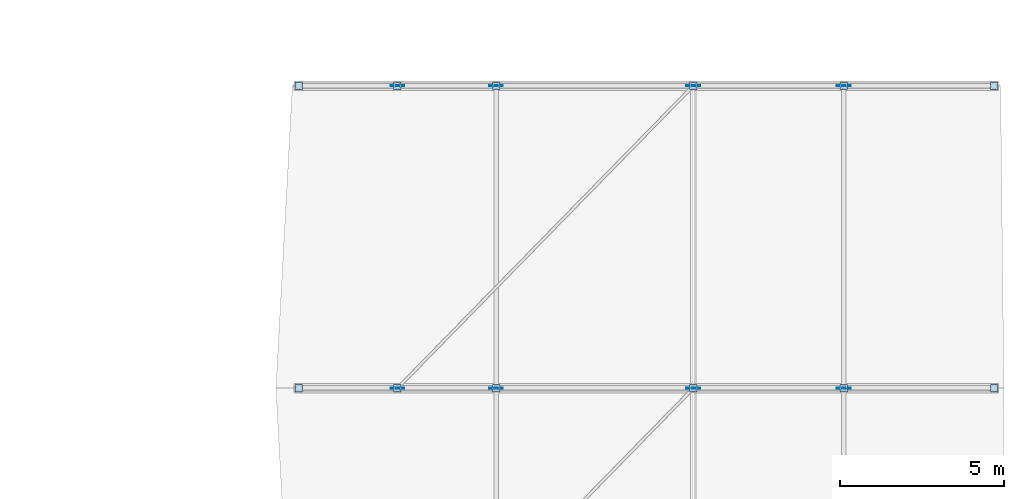
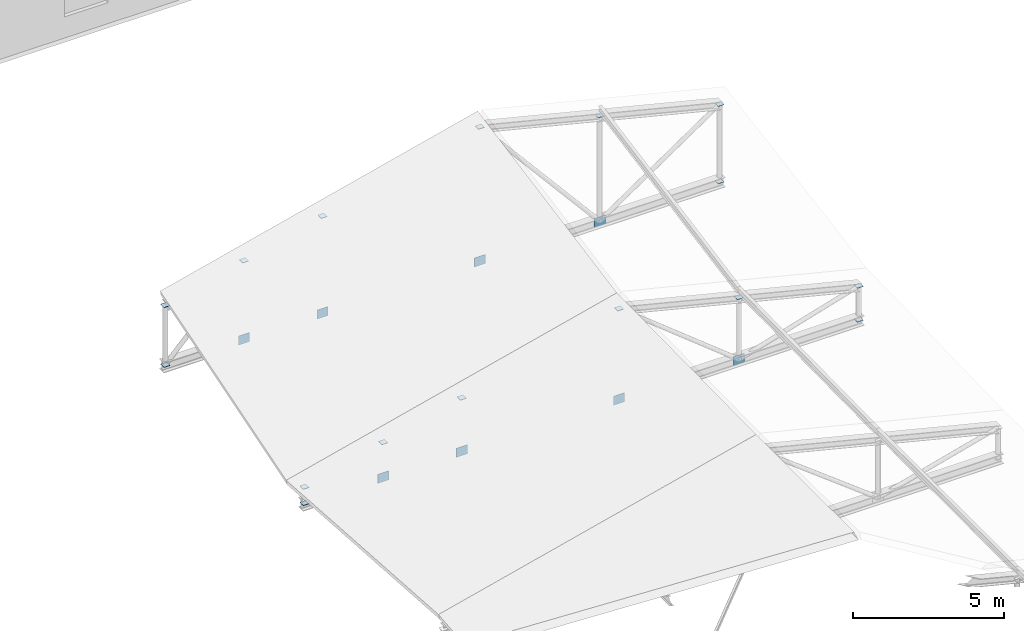
# One storey, part 25 of 33: 24 plates.
"""IFC4 building model written with IfcOpenShell, lengths in metres."""

from ifc_helpers import new_model, si_unit, direction, frame, origin, origin_2d, place, context, subcontext, project, spatial, rectangle, extrude, material, layer, layer_set, type_object, element, save


model = new_model("IFC4")

# Units and contexts
model_context = context("Model", 3, precision=1e-05, world=origin(), true_north=direction((0.0, 1.0)))
body_context = subcontext(model_context, "Body", "Model", "MODEL_VIEW")
ifc_project = project(units=[si_unit("LENGTHUNIT", "METRE"), si_unit("AREAUNIT", "SQUARE_METRE"), si_unit("VOLUMEUNIT", "CUBIC_METRE"), si_unit("PLANEANGLEUNIT", "RADIAN"), si_unit("MASSUNIT", "GRAM", prefix="KILO")], contexts=[model_context])

# Site, building, storey
site_placement = place(None, origin())
site = spatial("IfcSite", under=ifc_project, at=site_placement, CompositionType="ELEMENT")
building_placement = place(site_placement, origin())
building = spatial("IfcBuilding", under=site, at=building_placement, Name="Bozkorgan Art Gallery", CompositionType="ELEMENT")
storey_placement = place(building_placement, frame((0.0, 0.0, 19.5)))
storey = spatial("IfcBuildingStorey", under=building, at=storey_placement, Name="L04", CompositionType="ELEMENT", Elevation=19.5)

# Plates
ifc_material = material(Name="Steel S355J2", Category="steel")
ifc_layer_1 = layer(ifc_material, 0.01611328125, Name="Steel S355J2")
ifc_layer_set_1 = layer_set([ifc_layer_1], Name="Steel S355J2")
plate_type_1 = type_object("IfcPlateType", Name="PLATE-EC-05", PredefinedType="USERDEFINED", material=ifc_layer_set_1)
for number, where, z_axis, x_axis, name in (
    (1, (143.0, 38.39990234375, 0.846923828125), (0.0, 0.0, 1.0), (1.0, 0.0, 0.0), "Truss V6 post cap 5.0"),
    (2, (143.0, 38.39990234375, 0.19189453125), (0.0, 0.0, 1.0), (1.0, 0.0, 0.0), "Truss V6 post base cap 5.0"),
    (3, (146.0, 38.39990234375, 1.5947265625), (0.0, 0.0, 1.0), (1.0, 0.0, 0.0), "Truss V6 post cap 5.1"),
    (4, (149.0, 38.39990234375, 2.3427734375), (0.0, 0.0, 1.0), (1.0, 0.0, 0.0), "Truss V6 post cap 5.2"),
    (5, (155.0, 38.39990234375, 3.8388671875), (0.0, 0.0, 1.0), (1.0, 0.0, 0.0), "Truss V6 post cap 5.3"),
    (6, (159.574951171875, 38.39990234375, 2.6982421875), (0.0, 0.0, 1.0), (1.0, 0.0, 0.0), "Truss V6 post cap 5.4"),
    (7, (164.14990234375, 38.39990234375, 1.5576171875), (0.0, 0.0, 1.0), (1.0, 0.0, 0.0), "Truss V6 post cap 5.5"),
    (8, (164.14990234375, 38.39990234375, 0.19189453125), (0.0, 0.0, 1.0), (1.0, 0.0, 0.0), "Truss V6 post base cap 5.5"),
    (9, (143.0, 47.60009765625, 2.602294921875), (0.0, 0.0, 1.0), (1.0, 0.0, 0.0), "Truss V6 post cap 6.0"),
    (10, (143.0, 47.60009765625, 0.19189453125), (0.0, 0.0, 1.0), (1.0, 0.0, 0.0), "Truss V6 post base cap 6.0"),
    (11, (146.0, 47.60009765625, 3.350341796875), (0.0, 0.0, 1.0), (1.0, 0.0, 0.0), "Truss V6 post cap 6.1"),
    (12, (149.0, 47.60009765625, 4.09814453125), (0.0, 0.0, 1.0), (1.0, 0.0, 0.0), "Truss V6 post cap 6.2"),
    (13, (155.0, 47.60009765625, 5.59423828125), (0.0, 0.0, 1.0), (1.0, 0.0, 0.0), "Truss V6 post cap 6.3"),
    (14, (159.574951171875, 47.60009765625, 4.45361328125), (0.0, 0.0, 1.0), (1.0, 0.0, 0.0), "Truss V6 post cap 6.4"),
    (15, (164.14990234375, 47.60009765625, 3.31298828125), (0.0, 0.0, 1.0), (1.0, 0.0, 0.0), "Truss V6 post cap 6.5"),
    (16, (164.14990234375, 47.60009765625, 0.19189453125), (0.0, 0.0, 1.0), (1.0, 0.0, 0.0), "Truss V6 post base cap 6.5"),
):
    element("IfcPlate", number, at=place(storey_placement, frame(where, z_axis=z_axis, x_axis=x_axis)), inside=storey, type_object=plate_type_1, Name=name, ObjectType="END CAP PLATE", PredefinedType="USERDEFINED", context=body_context, shape_type="SweptSolid", body=[
        extrude(rectangle(XDim=0.22998046875, YDim=0.22998046875, at=origin_2d()), origin(), (0.0, 0.0, 1.0), 0.01611328125),
    ])
ifc_layer_2 = layer(ifc_material, 0.02392578125, Name="Steel S355J2")
ifc_layer_set_2 = layer_set([ifc_layer_2], Name="Steel S355J2")
plate_type_2 = type_object("IfcPlateType", Name="PLATE-GP-38", PredefinedType="USERDEFINED", material=ifc_layer_set_2)
for number, where, z_axis, x_axis, name in (
    (17, (155.0, 38.39990234375, 0.02001953125), (0.0, 0.0, 1.0), (1.0, 0.0, 0.0), "Truss V6 span 5 node gusset TN-3"),
    (18, (155.0, 47.60009765625, 0.02001953125), (0.0, 0.0, 1.0), (1.0, 0.0, 0.0), "Truss V6 span 6 node gusset TN-3"),
):
    element("IfcPlate", number, at=place(storey_placement, frame(where, z_axis=z_axis, x_axis=x_axis)), inside=storey, type_object=plate_type_2, Name=name, ObjectType="GUSSET PLATE", PredefinedType="USERDEFINED", context=body_context, shape_type="SweptSolid", body=[
        extrude(rectangle(XDim=0.419921875, YDim=0.02001953125, at=origin_2d()), origin(), (0.0, 0.0, 1.0), 0.360107421875),
    ])
ifc_layer_3 = layer(ifc_material, 0.02001953125, Name="Steel S355J2")
ifc_layer_set_3 = layer_set([ifc_layer_3], Name="Steel S355J2")
plate_type_3 = type_object("IfcPlateType", Name="PLATE-GP-55", PredefinedType="USERDEFINED", material=ifc_layer_set_3)
for number, where, z_axis, x_axis, name in (
    (19, (146.0, 38.39990234375, 0.02001953125), (0.0, 0.0, 1.0), (1.0, 0.0, 0.0), "Truss V6 span 5 node gusset TN-1"),
    (20, (149.0, 38.39990234375, 0.02001953125), (0.0, 0.0, 1.0), (1.0, 0.0, 0.0), "Truss V6 span 5 node gusset TN-2"),
    (21, (159.574951171875, 38.39990234375, 0.02001953125), (0.0, 0.0, 1.0), (1.0, 0.0, 0.0), "Truss V6 span 5 node gusset TN-4"),
    (22, (146.0, 47.60009765625, 0.02001953125), (0.0, 0.0, 1.0), (1.0, 0.0, 0.0), "Truss V6 span 6 node gusset TN-1"),
    (23, (149.0, 47.60009765625, 0.02001953125), (0.0, 0.0, 1.0), (1.0, 0.0, 0.0), "Truss V6 span 6 node gusset TN-2"),
    (24, (159.574951171875, 47.60009765625, 0.02001953125), (0.0, 0.0, 1.0), (1.0, 0.0, 0.0), "Truss V6 span 6 node gusset TN-4"),
):
    element("IfcPlate", number, at=place(storey_placement, frame(where, z_axis=z_axis, x_axis=x_axis)), inside=storey, type_object=plate_type_3, Name=name, ObjectType="GUSSET PLATE", PredefinedType="USERDEFINED", context=body_context, shape_type="SweptSolid", body=[
        extrude(rectangle(XDim=0.419921875, YDim=0.02001953125, at=origin_2d()), origin(), (0.0, 0.0, 1.0), 0.360107421875),
    ])

save(model, "model.ifc")
